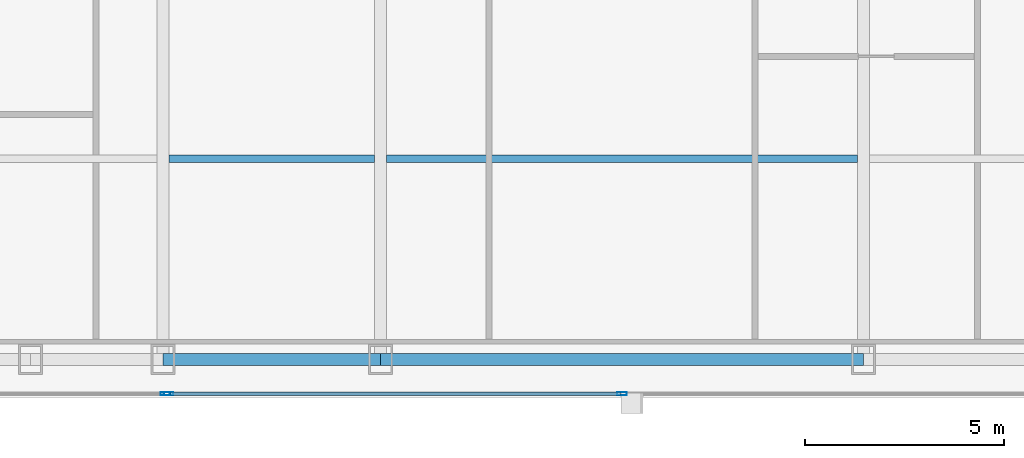
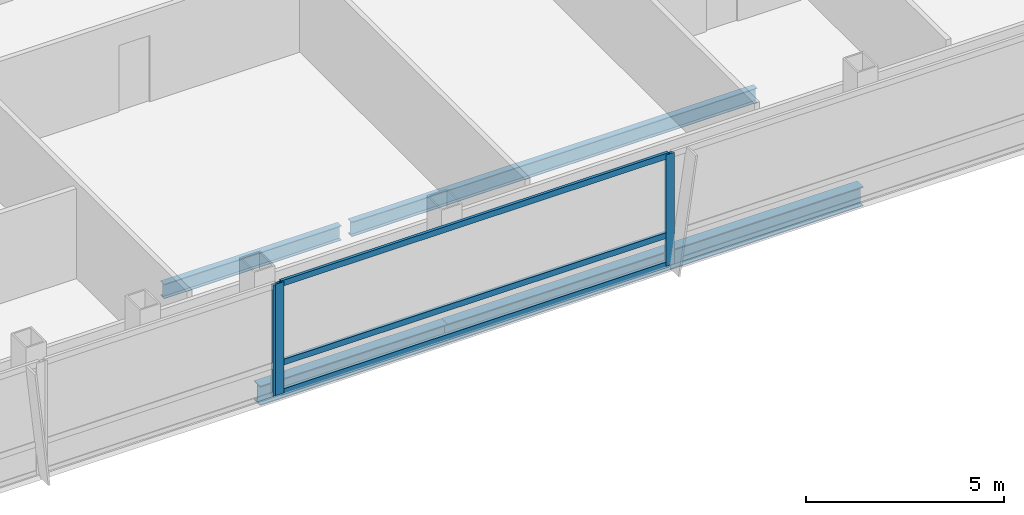
# One storey, part 8 of 29: 6 members, 4 beams, 2 elements without a shape of their own.
"""IFC4 building model written with IfcOpenShell, lengths in metres."""

from ifc_helpers import new_model, si_unit, direction, frame, origin, origin_2d, place, context, subcontext, project, spatial, hollow_rectangle, i_section, extrude, material, material_profile, profile_set, type_object, element, aggregate, save


model = new_model("IFC4")

# Units and contexts
model_context = context("Model", 3, precision=1e-05, world=origin(), true_north=direction((0.0, 1.0)))
body_context = subcontext(model_context, "Body", "Model", "MODEL_VIEW")
ifc_project = project(units=[si_unit("LENGTHUNIT", "METRE"), si_unit("AREAUNIT", "SQUARE_METRE"), si_unit("VOLUMEUNIT", "CUBIC_METRE"), si_unit("PLANEANGLEUNIT", "RADIAN"), si_unit("MASSUNIT", "GRAM", prefix="KILO")], contexts=[model_context])

# Site, building, storey
site_placement = place(None, origin())
site = spatial("IfcSite", under=ifc_project, at=site_placement, CompositionType="ELEMENT")
building_placement = place(site_placement, origin())
building = spatial("IfcBuilding", under=site, at=building_placement, Name="Khoronbel Lancet Exchange", CompositionType="ELEMENT")
storey_placement = place(building_placement, frame((0.0, 0.0, 242.60009765625)))
storey = spatial("IfcBuildingStorey", under=building, at=storey_placement, Name="L62", CompositionType="ELEMENT", Elevation=242.60009765625)

# Beams
ifc_material_1 = material(Name="Steel S355", Category="steel")
ifc_material_profile_1 = material_profile(ifc_material_1, i_section(OverallWidth=0.18994140625, OverallDepth=0.449951171875, WebThickness=0.009521484375, FlangeThickness=0.0146484375, at=origin_2d()), Name="IPE 450")
ifc_profile_set_1 = profile_set([ifc_material_profile_1], Name="Steel S355")
beam_type_1 = type_object("IfcBeamType", Name="BM-BJ4", PredefinedType="JOIST", material=ifc_profile_set_1)
beam_1_placement = place(storey_placement, frame((25.050048828125, 15.199951171875, -0.385009765625), z_axis=(1.0, 0.0, 0.0), x_axis=(0.0, 1.0, 0.0)))
element("IfcBeam", 1, at=beam_1_placement, inside=storey, type_object=beam_type_1, Name="Level L62 secondary composite joist J02", PredefinedType="JOIST", context=body_context, shape_type="SweptSolid", body=[
    extrude(i_section(OverallWidth=0.18994140625, OverallDepth=0.449951171875, WebThickness=0.009521484375, FlangeThickness=0.0146484375, at=origin_2d()), origin(), (0.0, 0.0, 1.0), 5.175048828125),
])
beam_2_placement = place(storey_placement, frame((30.52490234375, 15.199951171875, -0.385009765625), z_axis=(1.0, 0.0, 0.0), x_axis=(0.0, 1.0, 0.0)))
element("IfcBeam", 2, at=beam_2_placement, inside=storey, type_object=beam_type_1, Name="Level L62 secondary composite joist J03", PredefinedType="JOIST", context=body_context, shape_type="SweptSolid", body=[
    extrude(i_section(OverallWidth=0.18994140625, OverallDepth=0.449951171875, WebThickness=0.009521484375, FlangeThickness=0.0146484375, at=origin_2d()), origin(), (0.0, 0.0, 1.0), 11.85009765625),
])
ifc_material_profile_2 = material_profile(ifc_material_1, i_section(OverallWidth=0.300048828125, OverallDepth=0.60009765625, WebThickness=0.015380859375, FlangeThickness=0.030029296875, at=origin_2d()), Name="HEB 600")
ifc_profile_set_2 = profile_set([ifc_material_profile_2], Name="Steel S355")
beam_type_2 = type_object("IfcBeamType", Name="BM-BSP2", PredefinedType="SPANDREL", material=ifc_profile_set_2)
beam_3_placement = place(storey_placement, frame((24.89990234375, 10.14990234375, -0.460205078125), z_axis=(1.0, 0.0, 0.0), x_axis=(0.0, 1.0, 0.0)))
element("IfcBeam", 3, at=beam_3_placement, inside=storey, type_object=beam_type_2, Name="Level L62 perimeter spandrel beam SP04", PredefinedType="SPANDREL", context=body_context, shape_type="SweptSolid", body=[
    extrude(i_section(OverallWidth=0.300048828125, OverallDepth=0.60009765625, WebThickness=0.015380859375, FlangeThickness=0.030029296875, at=origin_2d()), origin(), (0.0, 0.0, 1.0), 5.47509765625),
])
beam_4_placement = place(storey_placement, frame((30.375, 10.14990234375, -0.460205078125), z_axis=(1.0, 0.0, 0.0), x_axis=(0.0, 1.0, 0.0)))
element("IfcBeam", 4, at=beam_4_placement, inside=storey, type_object=beam_type_2, Name="Level L62 perimeter spandrel beam SP05", PredefinedType="SPANDREL", context=body_context, shape_type="SweptSolid", body=[
    extrude(i_section(OverallWidth=0.300048828125, OverallDepth=0.60009765625, WebThickness=0.015380859375, FlangeThickness=0.030029296875, at=origin_2d()), origin(), (0.0, 0.0, 1.0), 12.14990234375),
])

# Curtain wall, member
ifc_material_2 = material(Name="Low-E Solar Control Insulating Glass", Category="glass")
curtain_wall_type = type_object("IfcCurtainWallType", Name="CW-3", PredefinedType="NOTDEFINED", material=ifc_material_2)
curtain_wall_1_placement = place(storey_placement, origin())
curtain_wall_1 = element("IfcCurtainWall", 5, at=curtain_wall_1_placement, inside=storey, type_object=curtain_wall_type, Name="Unitised curtain wall CW-L62-SWB", PredefinedType="NOTDEFINED")
ifc_material_3 = material(Name="Bronze-Anodised Aluminium 6063-T6", Category="aluminium")
ifc_material_profile_3 = material_profile(ifc_material_3, hollow_rectangle(XDim=0.0849609375, YDim=0.239990234375, WallThickness=0.006103515625, at=origin_2d()), Name="ALU MULLION 85x240")
ifc_profile_set_3 = profile_set([ifc_material_profile_3], Name="Bronze-Anodised Aluminium 6063-T6")
member_type_1 = type_object("IfcMemberType", Name="MEM-CWM1", PredefinedType="MULLION", material=ifc_profile_set_3)
member_1_placement = place(storey_placement, frame((24.95751953125, 9.2900390625, 0.0), z_axis=(0.0, 0.0, 1.0), x_axis=(0.0, 1.0, 0.0)))
member_1 = element("IfcMember", 6, at=member_1_placement, type_object=member_type_1, Name="CW3 mullion 2", PredefinedType="MULLION", context=body_context, shape_type="SweptSolid", body=[
    extrude(hollow_rectangle(XDim=0.0849609375, YDim=0.239990234375, WallThickness=0.006103515625, at=origin_2d()), origin(), (0.0, 0.0, 1.0), 3.43994140625),
])
aggregate(curtain_wall_1, [member_1])

# Curtain wall, members
curtain_wall_2_placement = place(storey_placement, origin())
curtain_wall_2 = element("IfcCurtainWall", 7, at=curtain_wall_2_placement, inside=storey, type_object=curtain_wall_type, Name="Unitised curtain wall CW-L62-SCV", PredefinedType="NOTDEFINED")
member_2_placement = place(storey_placement, frame((25.04248046875, 9.2900390625, 0.0), z_axis=(0.0, 0.0, 1.0), x_axis=(0.0, 1.0, 0.0)))
member_2 = element("IfcMember", 8, at=member_2_placement, type_object=member_type_1, Name="CW3 mullion 1", PredefinedType="MULLION", context=body_context, shape_type="SweptSolid", body=[
    extrude(hollow_rectangle(XDim=0.0849609375, YDim=0.239990234375, WallThickness=0.006103515625, at=origin_2d()), origin(), (0.0, 0.0, 1.0), 3.43994140625),
])
member_3_placement = place(storey_placement, frame((36.449951171875, 9.2900390625, 0.0), z_axis=(0.0, 0.0, 1.0), x_axis=(0.0, 1.0, 0.0)))
member_3 = element("IfcMember", 9, at=member_3_placement, type_object=member_type_1, Name="CW3 mullion 2", PredefinedType="MULLION", context=body_context, shape_type="SweptSolid", body=[
    extrude(hollow_rectangle(XDim=0.0849609375, YDim=0.239990234375, WallThickness=0.006103515625, at=origin_2d()), origin(), (0.0, 0.0, 1.0), 3.43994140625),
])
ifc_material_profile_4 = material_profile(ifc_material_3, hollow_rectangle(XDim=0.0849609375, YDim=0.179931640625, WallThickness=0.0048828125, at=origin_2d()), Name="ALU TRANSOM 85x180")
ifc_profile_set_4 = profile_set([ifc_material_profile_4], Name="Bronze-Anodised Aluminium 6063-T6")
member_type_2 = type_object("IfcMemberType", Name="MEM-CWT1", PredefinedType="USERDEFINED", material=ifc_profile_set_4)
member_4_placement = place(storey_placement, frame((25.0849609375, 9.2900390625, 0.04248046875), z_axis=(1.0, 0.0, 0.0), x_axis=(0.0, 1.0, 0.0)))
member_4 = element("IfcMember", 10, at=member_4_placement, type_object=member_type_2, Name="CW3 transom 1.1", ObjectType="TRANSOM", PredefinedType="USERDEFINED", context=body_context, shape_type="SweptSolid", body=[
    extrude(hollow_rectangle(XDim=0.0849609375, YDim=0.179931640625, WallThickness=0.0048828125, at=origin_2d()), origin(), (0.0, 0.0, 1.0), 11.322509765625),
])
member_5_placement = place(storey_placement, frame((25.0849609375, 9.2900390625, 0.949951171875), z_axis=(1.0, 0.0, 0.0), x_axis=(0.0, 1.0, 0.0)))
member_5 = element("IfcMember", 11, at=member_5_placement, type_object=member_type_2, Name="CW3 transom 1.2", ObjectType="TRANSOM", PredefinedType="USERDEFINED", context=body_context, shape_type="SweptSolid", body=[
    extrude(hollow_rectangle(XDim=0.0849609375, YDim=0.179931640625, WallThickness=0.0048828125, at=origin_2d()), origin(), (0.0, 0.0, 1.0), 11.322509765625),
])
member_6_placement = place(storey_placement, frame((25.0849609375, 9.2900390625, 3.3974609375), z_axis=(1.0, 0.0, 0.0), x_axis=(0.0, 1.0, 0.0)))
member_6 = element("IfcMember", 12, at=member_6_placement, type_object=member_type_2, Name="CW3 transom 1.3", ObjectType="TRANSOM", PredefinedType="USERDEFINED", context=body_context, shape_type="SweptSolid", body=[
    extrude(hollow_rectangle(XDim=0.0849609375, YDim=0.179931640625, WallThickness=0.0048828125, at=origin_2d()), origin(), (0.0, 0.0, 1.0), 11.322509765625),
])
aggregate(curtain_wall_2, [member_2, member_3, member_4, member_5, member_6])

save(model, "model.ifc")
